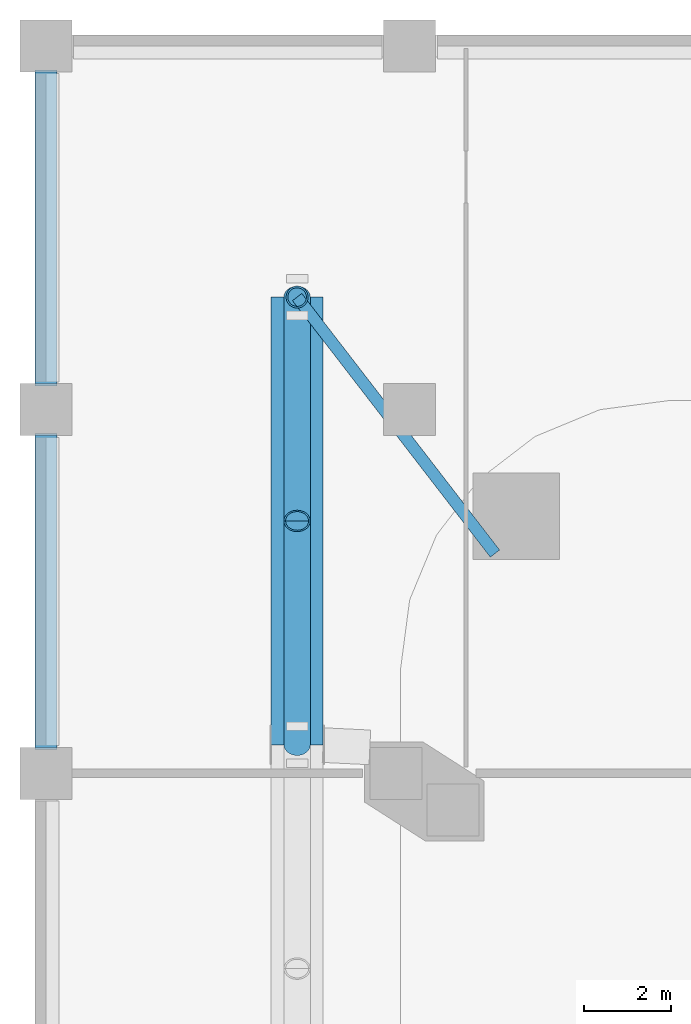
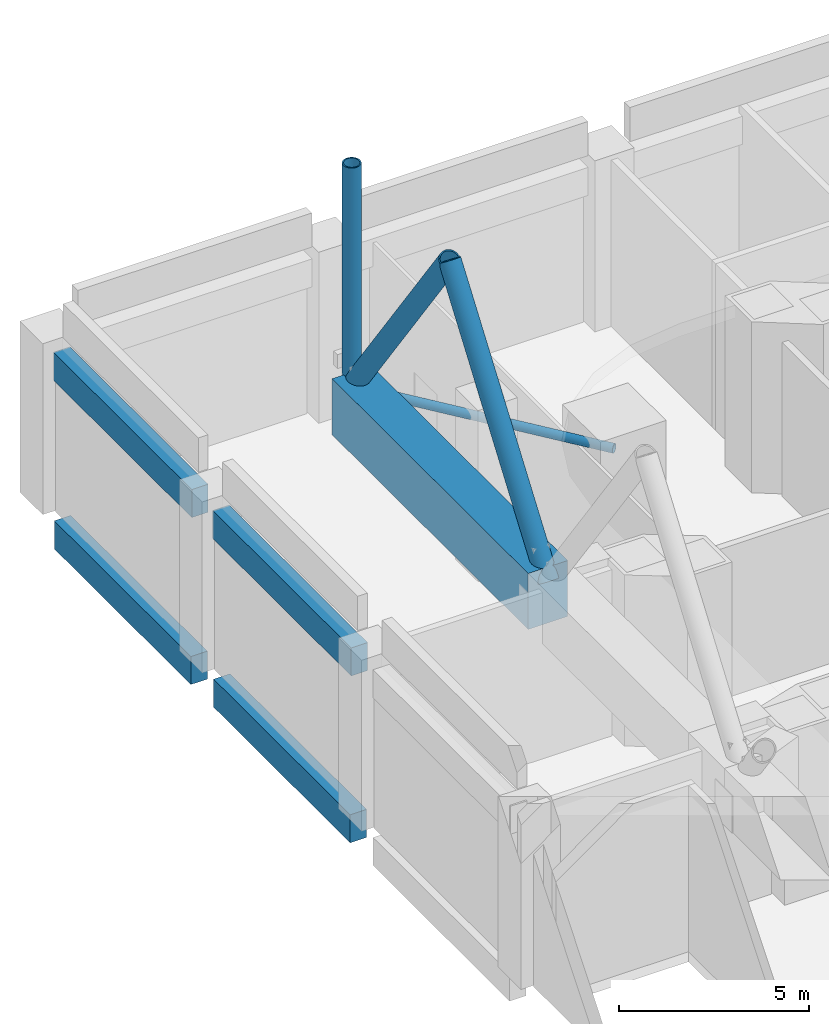
# One storey, part 3 of 17: 5 beams, 4 members.
"""IFC4 building model written with IfcOpenShell, lengths in metres."""

from ifc_helpers import new_model, si_unit, direction, frame, origin, origin_2d, place, context, subcontext, project, spatial, rectangle, hollow_circle, extrude, material, material_profile, profile_set, type_object, element, save


model = new_model("IFC4")

# Units and contexts
model_context = context("Model", 3, precision=1e-05, world=origin(), true_north=direction((0.0, 1.0)))
body_context = subcontext(model_context, "Body", "Model", "MODEL_VIEW")
ifc_project = project(units=[si_unit("LENGTHUNIT", "METRE"), si_unit("AREAUNIT", "SQUARE_METRE"), si_unit("VOLUMEUNIT", "CUBIC_METRE"), si_unit("PLANEANGLEUNIT", "RADIAN"), si_unit("MASSUNIT", "GRAM", prefix="KILO")], contexts=[model_context])

# Site, building, storey
site_placement = place(None, origin())
site = spatial("IfcSite", under=ifc_project, at=site_placement, CompositionType="ELEMENT")
building_placement = place(site_placement, origin())
building = spatial("IfcBuilding", under=site, at=building_placement, Name="Marenta Gate Hotel Tower", CompositionType="ELEMENT")
storey_placement = place(building_placement, frame((0.0, 0.0, 31.0)))
storey = spatial("IfcBuildingStorey", under=building, at=storey_placement, Name="L05", CompositionType="ELEMENT", Elevation=31.0)

# Beam
ifc_material_1 = material(Name="Concrete C80", Category="concrete")
ifc_material_profile_1 = material_profile(ifc_material_1, rectangle(XDim=1.199951171875, YDim=1.800048828125, at=origin_2d()), Name="1200 x 1800")
ifc_profile_set_1 = profile_set([ifc_material_profile_1], Name="Concrete C80")
beam_type_1 = type_object("IfcBeamType", Name="Diagrid base ring girder 1200 x 1800 C80", PredefinedType="BEAM", material=ifc_profile_set_1)
beam_placement = place(storey_placement, frame((-32.0, 25.860107421875, 4.60009765625), z_axis=(0.0, 1.0, 0.0), x_axis=(-1.0, 0.0, 0.0)))
element("IfcBeam", 1, at=beam_placement, inside=storey, type_object=beam_type_1, Name="L05-DR-B23", PredefinedType="BEAM", context=body_context, shape_type="SweptSolid", body=[
    extrude(rectangle(XDim=1.199951171875, YDim=1.800048828125, at=origin_2d()), origin(), (0.0, 0.0, 1.0), 10.33984375),
])

# Members
ifc_material_2 = material(Name="Steel S355J2W", Category="steel")
ifc_material_profile_2 = material_profile(ifc_material_2, hollow_circle(Radius=0.25390625, WallThickness=0.0400390625, at=origin_2d()), Name="CHS 508x40")
ifc_profile_set_2 = profile_set([ifc_material_profile_2], Name="Steel S355J2W")
member_type_1 = type_object("IfcMemberType", Name="Diagrid corner post Z1 CHS 508x40", PredefinedType="POST", material=ifc_profile_set_2)
member_1_placement = place(storey_placement, frame((-32.0, 36.199951171875, 5.0400390625), z_axis=(0.0, 0.0, 1.0), x_axis=(1.0, 0.0, 0.0)))
element("IfcMember", 2, at=member_1_placement, inside=storey, type_object=member_type_1, Name="L05-DR-6", PredefinedType="POST", context=body_context, shape_type="SweptSolid", body=[
    extrude(hollow_circle(Radius=0.25390625, WallThickness=0.0400390625, at=origin_2d()), origin(), (0.0, 0.0, 1.0), 7.199951171875),
])
ifc_material_3 = material(Name="Steel S355J2W", Category="steel")
ifc_material_profile_3 = material_profile(ifc_material_3, hollow_circle(Radius=0.304931640625, WallThickness=0.0400390625, at=origin_2d()), Name="CHS 610x40")
ifc_profile_set_3 = profile_set([ifc_material_profile_3], Name="Steel S355J2W")
member_type_2 = type_object("IfcMemberType", Name="Diagrid diagonal Z1 CHS 610x40", PredefinedType="BRACE", material=ifc_profile_set_3)
for number, where, z_axis, x_axis, name in (
    (3, (-32.0, 25.860107421875, 5.0400390625), (0.0, 0.583260841117, 0.812284919975), (-1.0, 0.0, 0.0), "L05-DG-33"),
    (4, (-32.0, 36.199951171875, 5.0400390625), (0.0, -0.583260841117, 0.812284919975), (1.0, 0.0, 0.0), "L05-DG-34"),
):
    element("IfcMember", number, at=place(storey_placement, frame(where, z_axis=z_axis, x_axis=x_axis)), inside=storey, type_object=member_type_2, Name=name, PredefinedType="BRACE", context=body_context, shape_type="SweptSolid", body=[
        extrude(hollow_circle(Radius=0.304931640625, WallThickness=0.0400390625, at=origin_2d()), origin(), (0.0, 0.0, 1.0), 8.86376953125),
    ])
ifc_material_4 = material(Name="Steel S355J2W", Category="steel")
ifc_material_profile_4 = material_profile(ifc_material_4, hollow_circle(Radius=0.136474609375, WallThickness=0.012451171875, at=origin_2d()), Name="CHS 273x12.5")
ifc_profile_set_4 = profile_set([ifc_material_profile_4], Name="Steel S355J2W")
member_type_3 = type_object("IfcMemberType", Name="Floor tie CHS 273x12.5", PredefinedType="STRUT", material=ifc_profile_set_4)
member_2_placement = place(storey_placement, frame((-32.0, 36.199951171875, 5.0400390625), z_axis=(0.610809299032, -0.791777746729, 0.0), x_axis=(0.791777746729, 0.610809299032, 0.0)))
element("IfcMember", 5, at=member_2_placement, inside=storey, type_object=member_type_3, Name="L05-DR-12", PredefinedType="STRUT", context=body_context, shape_type="SweptSolid", body=[
    extrude(hollow_circle(Radius=0.136474609375, WallThickness=0.012451171875, at=origin_2d()), origin(), (0.0, 0.0, 1.0), 7.48193359375),
])

# Beams
ifc_material_5 = material(Name="Concrete C60", Category="concrete")
ifc_material_profile_5 = material_profile(ifc_material_5, rectangle(XDim=0.5, YDim=0.89990234375, at=origin_2d()), Name="500 x 900")
ifc_profile_set_5 = profile_set([ifc_material_profile_5], Name="Concrete C60")
beam_type_2 = type_object("IfcBeamType", Name="Podium edge beam 500 x 900 C60", PredefinedType="BEAM", material=ifc_profile_set_5)
for number, where, z_axis, x_axis, name in (
    (6, (-37.800048828125, 41.39990234375, -0.77001953125), (0.0, -1.0, 0.0), (1.0, 0.0, 0.0), "L05-PBM-202"),
    (7, (-37.800048828125, 33.0, -0.77001953125), (0.0, -1.0, 0.0), (1.0, 0.0, 0.0), "L05-PBM-203"),
):
    element("IfcBeam", number, at=place(storey_placement, frame(where, z_axis=z_axis, x_axis=x_axis)), inside=storey, type_object=beam_type_2, Name=name, PredefinedType="BEAM", context=body_context, shape_type="SweptSolid", body=[
        extrude(rectangle(XDim=0.5, YDim=0.89990234375, at=origin_2d()), origin(), (0.0, 0.0, 1.0), 7.199951171875),
    ])
for number, where, z_axis, x_axis, name in (
    (8, (-37.800048828125, 41.449951171875, 4.6298828125), (0.0, -1.0, 0.0), (1.0, 0.0, 0.0), "L05-PBM-236"),
    (9, (-37.800048828125, 33.050048828125, 4.6298828125), (0.0, -1.0, 0.0), (1.0, 0.0, 0.0), "L05-PBM-237"),
):
    element("IfcBeam", number, at=place(storey_placement, frame(where, z_axis=z_axis, x_axis=x_axis)), inside=storey, type_object=beam_type_2, Name=name, PredefinedType="BEAM", context=body_context, shape_type="SweptSolid", body=[
        extrude(rectangle(XDim=0.5, YDim=0.89990234375, at=origin_2d()), origin(), (0.0, 0.0, 1.0), 7.300048828125),
    ])

save(model, "model.ifc")
